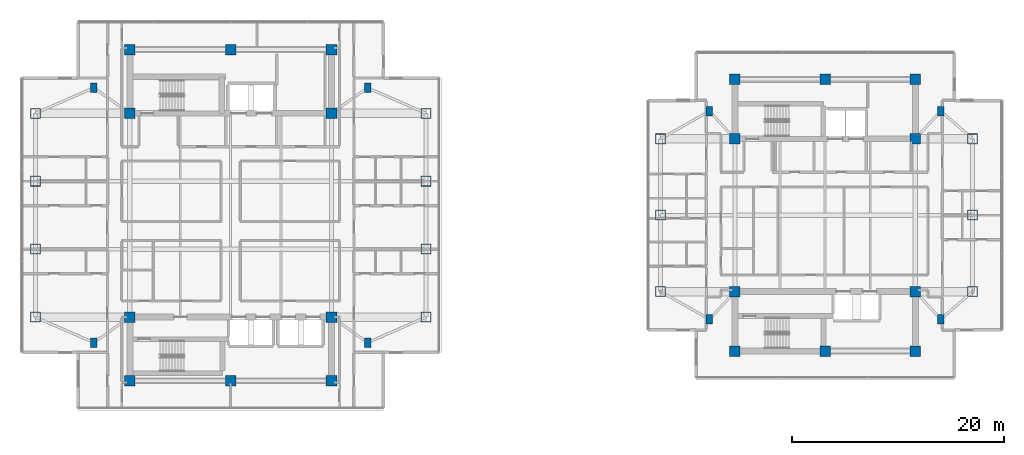
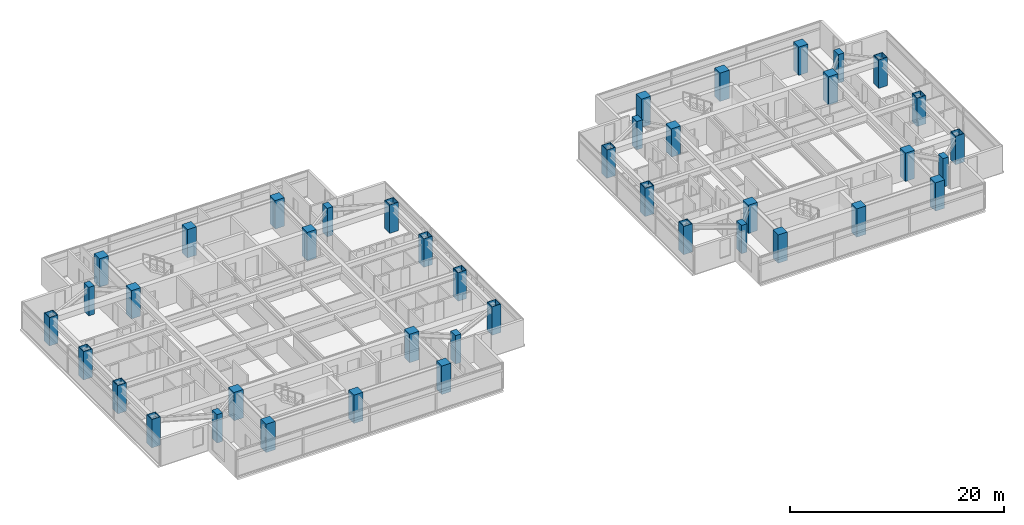
# One storey, part 1 of 24: 42 columns.
"""IFC4 building model written with IfcOpenShell, lengths in metres."""

from ifc_helpers import new_model, si_unit, direction, frame, origin, origin_2d, place, context, subcontext, project, spatial, rectangle, hollow_rectangle, extrude, material, material_profile, profile_set, type_object, element, save


model = new_model("IFC4")

# Units and contexts
model_context = context("Model", 3, precision=1e-05, world=origin(), true_north=direction((0.0, 1.0)))
body_context = subcontext(model_context, "Body", "Model", "MODEL_VIEW")
ifc_project = project(units=[si_unit("LENGTHUNIT", "METRE"), si_unit("AREAUNIT", "SQUARE_METRE"), si_unit("VOLUMEUNIT", "CUBIC_METRE"), si_unit("PLANEANGLEUNIT", "RADIAN"), si_unit("MASSUNIT", "GRAM", prefix="KILO")], contexts=[model_context])

# Site, building, storey
site_placement = place(None, origin())
site = spatial("IfcSite", under=ifc_project, at=site_placement, CompositionType="ELEMENT")
building_placement = place(site_placement, origin())
building = spatial("IfcBuilding", under=site, at=building_placement, Name="Mirazonda Arch Towers", CompositionType="ELEMENT")
storey_placement = place(building_placement, frame((0.0, 0.0, 154.39990234375)))
storey = spatial("IfcBuildingStorey", under=building, at=storey_placement, Name="L43", CompositionType="ELEMENT", Elevation=154.39990234375)

# Columns
ifc_material_1 = material(Name="Concrete C50/60", Category="concrete")
ifc_material_profile_1 = material_profile(ifc_material_1, rectangle(XDim=1.0, YDim=1.0, at=origin_2d()), Name="RC1000x1000")
ifc_profile_set_1 = profile_set([ifc_material_profile_1], Name="Concrete C50/60")
column_type_1 = type_object("IfcColumnType", Name="COL-INT-RC1000x1000", PredefinedType="COLUMN", material=ifc_profile_set_1)
for number, where, z_axis, x_axis, name in (
    (1, (11.0, 12.39990234375, 0.0), (0.0, 0.0, 1.0), (1.0, 0.0, 0.0), "L43 T1 Core Column 01"),
    (2, (20.5, 12.39990234375, 0.0), (0.0, 0.0, 1.0), (1.0, 0.0, 0.0), "L43 T1 Core Column 02"),
    (3, (30.0, 12.39990234375, 0.0), (0.0, 0.0, 1.0), (1.0, 0.0, 0.0), "L43 T1 Core Column 03"),
    (4, (11.0, 18.39990234375, 0.0), (0.0, 0.0, 1.0), (1.0, 0.0, 0.0), "L43 T1 Core Column 04"),
    (5, (30.0, 18.39990234375, 0.0), (0.0, 0.0, 1.0), (1.0, 0.0, 0.0), "L43 T1 Core Column 05"),
    (6, (11.0, 37.60009765625, 0.0), (0.0, 0.0, 1.0), (1.0, 0.0, 0.0), "L43 T1 Core Column 06"),
    (7, (30.0, 37.60009765625, 0.0), (0.0, 0.0, 1.0), (1.0, 0.0, 0.0), "L43 T1 Core Column 07"),
    (8, (11.0, 43.60009765625, 0.0), (0.0, 0.0, 1.0), (1.0, 0.0, 0.0), "L43 T1 Core Column 08"),
    (9, (20.5, 43.60009765625, 0.0), (0.0, 0.0, 1.0), (1.0, 0.0, 0.0), "L43 T1 Core Column 09"),
    (10, (30.0, 43.60009765625, 0.0), (0.0, 0.0, 1.0), (1.0, 0.0, 0.0), "L43 T1 Core Column 10"),
    (11, (68.0, 15.199951171875, 0.0), (0.0, 0.0, 1.0), (1.0, 0.0, 0.0), "L43 T2 Core Column 01"),
    (12, (76.5, 15.199951171875, 0.0), (0.0, 0.0, 1.0), (1.0, 0.0, 0.0), "L43 T2 Core Column 02"),
    (13, (85.0, 15.199951171875, 0.0), (0.0, 0.0, 1.0), (1.0, 0.0, 0.0), "L43 T2 Core Column 03"),
    (14, (68.0, 20.800048828125, 0.0), (0.0, 0.0, 1.0), (1.0, 0.0, 0.0), "L43 T2 Core Column 04"),
    (15, (85.0, 20.800048828125, 0.0), (0.0, 0.0, 1.0), (1.0, 0.0, 0.0), "L43 T2 Core Column 05"),
    (16, (68.0, 35.199951171875, 0.0), (0.0, 0.0, 1.0), (1.0, 0.0, 0.0), "L43 T2 Core Column 06"),
    (17, (85.0, 35.199951171875, 0.0), (0.0, 0.0, 1.0), (1.0, 0.0, 0.0), "L43 T2 Core Column 07"),
    (18, (68.0, 40.800048828125, 0.0), (0.0, 0.0, 1.0), (1.0, 0.0, 0.0), "L43 T2 Core Column 08"),
    (19, (76.5, 40.800048828125, 0.0), (0.0, 0.0, 1.0), (1.0, 0.0, 0.0), "L43 T2 Core Column 09"),
    (20, (85.0, 40.800048828125, 0.0), (0.0, 0.0, 1.0), (1.0, 0.0, 0.0), "L43 T2 Core Column 10"),
):
    element("IfcColumn", number, at=place(storey_placement, frame(where, z_axis=z_axis, x_axis=x_axis)), inside=storey, type_object=column_type_1, Name=name, PredefinedType="COLUMN", context=body_context, shape_type="SweptSolid", body=[
        extrude(rectangle(XDim=1.0, YDim=1.0, at=origin_2d()), origin(), (0.0, 0.0, 1.0), 3.25),
    ])
ifc_material_2 = material(Name="Steel ASTM A572 Grade 50", Category="steel")
ifc_material_profile_2 = material_profile(ifc_material_2, hollow_rectangle(XDim=0.949951171875, YDim=0.949951171875, WallThickness=0.050048828125, at=origin_2d()), Name="BOX950x950x50")
ifc_profile_set_2 = profile_set([ifc_material_profile_2], Name="Steel ASTM A572 Grade 50")
column_type_2 = type_object("IfcColumnType", Name="MCOL-EXT-BOX950x950x50", PredefinedType="COLUMN", material=ifc_profile_set_2)
for number, where, z_axis, x_axis, name in (
    (21, (2.10009765625, 18.39990234375, 0.0), (0.0, 0.0, 1.0), (1.0, 0.0, 0.0), "L43 T1 Composite Mega-Column 01"),
    (22, (2.10009765625, 24.800048828125, 0.0), (0.0, 0.0, 1.0), (1.0, 0.0, 0.0), "L43 T1 Composite Mega-Column 02"),
    (23, (2.10009765625, 31.199951171875, 0.0), (0.0, 0.0, 1.0), (1.0, 0.0, 0.0), "L43 T1 Composite Mega-Column 03"),
    (24, (2.10009765625, 37.60009765625, 0.0), (0.0, 0.0, 1.0), (1.0, 0.0, 0.0), "L43 T1 Composite Mega-Column 04"),
    (25, (38.89990234375, 18.39990234375, 0.0), (0.0, 0.0, 1.0), (1.0, 0.0, 0.0), "L43 T1 Composite Mega-Column 05"),
    (26, (38.89990234375, 24.800048828125, 0.0), (0.0, 0.0, 1.0), (1.0, 0.0, 0.0), "L43 T1 Composite Mega-Column 06"),
    (27, (38.89990234375, 31.199951171875, 0.0), (0.0, 0.0, 1.0), (1.0, 0.0, 0.0), "L43 T1 Composite Mega-Column 07"),
    (28, (38.89990234375, 37.60009765625, 0.0), (0.0, 0.0, 1.0), (1.0, 0.0, 0.0), "L43 T1 Composite Mega-Column 08"),
    (29, (61.0, 20.800048828125, 0.0), (0.0, 0.0, 1.0), (1.0, 0.0, 0.0), "L43 T2 Composite Mega-Column 01"),
    (30, (61.0, 28.0, 0.0), (0.0, 0.0, 1.0), (1.0, 0.0, 0.0), "L43 T2 Composite Mega-Column 02"),
    (31, (61.0, 35.199951171875, 0.0), (0.0, 0.0, 1.0), (1.0, 0.0, 0.0), "L43 T2 Composite Mega-Column 03"),
    (32, (90.39990234375, 20.800048828125, 0.0), (0.0, 0.0, 1.0), (1.0, 0.0, 0.0), "L43 T2 Composite Mega-Column 04"),
    (33, (90.39990234375, 28.0, 0.0), (0.0, 0.0, 1.0), (1.0, 0.0, 0.0), "L43 T2 Composite Mega-Column 05"),
    (34, (90.39990234375, 35.199951171875, 0.0), (0.0, 0.0, 1.0), (1.0, 0.0, 0.0), "L43 T2 Composite Mega-Column 06"),
):
    element("IfcColumn", number, at=place(storey_placement, frame(where, z_axis=z_axis, x_axis=x_axis)), inside=storey, type_object=column_type_2, Name=name, PredefinedType="COLUMN", context=body_context, shape_type="SweptSolid", body=[
        extrude(hollow_rectangle(XDim=0.949951171875, YDim=0.949951171875, WallThickness=0.050048828125, at=origin_2d()), origin(), (0.0, 0.0, 1.0), 3.25),
    ])
ifc_material_profile_3 = material_profile(ifc_material_1, rectangle(XDim=0.60009765625, YDim=0.89990234375, at=origin_2d()), Name="RC900x600")
ifc_profile_set_3 = profile_set([ifc_material_profile_3], Name="Concrete C50/60")
column_type_3 = type_object("IfcColumnType", Name="PIL-EXT-RC900x600", PredefinedType="PILASTER", material=ifc_profile_set_3)
for number, where, z_axis, x_axis, name in (
    (35, (7.60009765625, 16.0, 0.0), (0.0, 0.0, 1.0), (1.0, 0.0, 0.0), "L43 T1 Corner Pilaster 01"),
    (36, (33.39990234375, 16.0, 0.0), (0.0, 0.0, 1.0), (1.0, 0.0, 0.0), "L43 T1 Corner Pilaster 02"),
    (37, (7.60009765625, 40.0, 0.0), (0.0, 0.0, 1.0), (1.0, 0.0, 0.0), "L43 T1 Corner Pilaster 03"),
    (38, (33.39990234375, 40.0, 0.0), (0.0, 0.0, 1.0), (1.0, 0.0, 0.0), "L43 T1 Corner Pilaster 04"),
    (39, (65.60009765625, 18.199951171875, 0.0), (0.0, 0.0, 1.0), (1.0, 0.0, 0.0), "L43 T2 Corner Pilaster 01"),
    (40, (87.39990234375, 18.199951171875, 0.0), (0.0, 0.0, 1.0), (1.0, 0.0, 0.0), "L43 T2 Corner Pilaster 02"),
    (41, (65.60009765625, 37.800048828125, 0.0), (0.0, 0.0, 1.0), (1.0, 0.0, 0.0), "L43 T2 Corner Pilaster 03"),
    (42, (87.39990234375, 37.800048828125, 0.0), (0.0, 0.0, 1.0), (1.0, 0.0, 0.0), "L43 T2 Corner Pilaster 04"),
):
    element("IfcColumn", number, at=place(storey_placement, frame(where, z_axis=z_axis, x_axis=x_axis)), inside=storey, type_object=column_type_3, Name=name, PredefinedType="PILASTER", context=body_context, shape_type="SweptSolid", body=[
        extrude(rectangle(XDim=0.60009765625, YDim=0.89990234375, at=origin_2d()), origin(), (0.0, 0.0, 1.0), 3.25),
    ])

save(model, "model.ifc")
